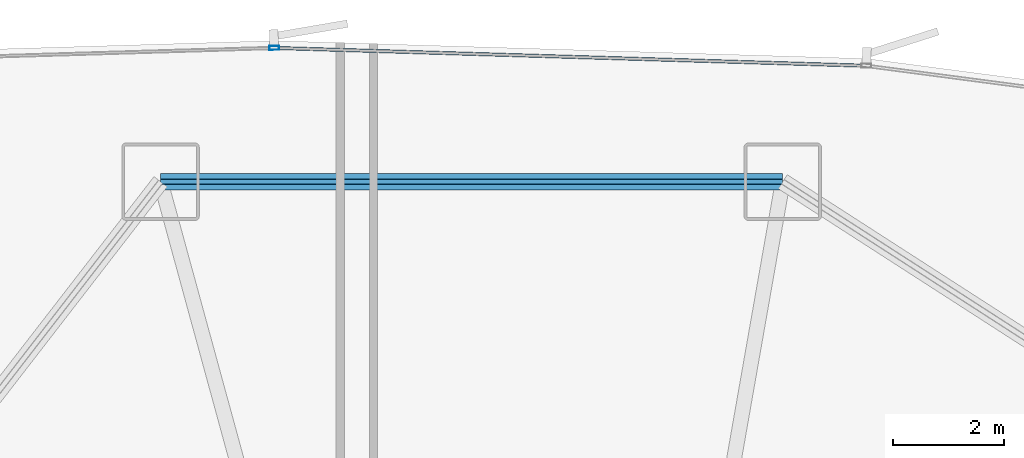
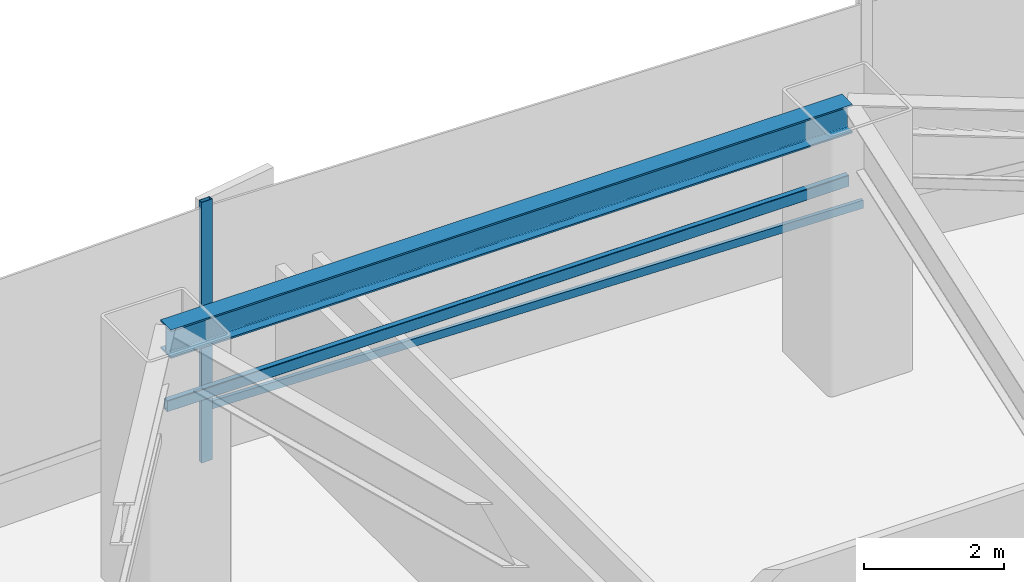
# One storey, part 14 of 34: 2 beams, 2 members, 1 element without a shape of its own.
"""IFC4 building model written with IfcOpenShell, lengths in metres."""

from ifc_helpers import new_model, si_unit, direction, frame, origin, origin_2d, place, context, subcontext, project, spatial, hollow_rectangle, i_section, extrude, source, transform, mapped, material, layer, layer_set, material_profile, profile_set, type_object, element, aggregate, save


model = new_model("IFC4")

# Units and contexts
model_context = context("Model", 3, precision=1e-05, world=origin(), true_north=direction((0.0, 1.0)))
body_context = subcontext(model_context, "Body", "Model", "MODEL_VIEW")
ifc_project = project(units=[si_unit("LENGTHUNIT", "METRE"), si_unit("AREAUNIT", "SQUARE_METRE"), si_unit("VOLUMEUNIT", "CUBIC_METRE"), si_unit("PLANEANGLEUNIT", "RADIAN"), si_unit("MASSUNIT", "GRAM", prefix="KILO"), si_unit("THERMODYNAMICTEMPERATUREUNIT", "KELVIN")], contexts=[model_context])

# Site, building, storey
site_placement = place(None, origin())
site = spatial("IfcSite", under=ifc_project, at=site_placement, CompositionType="ELEMENT")
building_placement = place(site_placement, origin())
building = spatial("IfcBuilding", under=site, at=building_placement, Name="Kethvar Cultural Tower", CompositionType="ELEMENT")
storey_placement = place(building_placement, frame((0.0, 0.0, 5.199951171875)))
storey = spatial("IfcBuildingStorey", under=building, at=storey_placement, Name="L01", CompositionType="ELEMENT", Elevation=5.199951171875)

# Beams
ifc_material_1 = material(Name="Steel S355J2", Category="steel")
ifc_material_profile_1 = material_profile(ifc_material_1, i_section(OverallWidth=0.300048828125, OverallDepth=0.5, WebThickness=0.014404296875, FlangeThickness=0.028076171875, FilletRadius=0.027099609375, at=origin_2d()), Name="Steel S355J2 — HEB500")
ifc_profile_set_1 = profile_set([ifc_material_profile_1], Name="Steel S355J2 — HEB500")
beam_type_1 = type_object("IfcBeamType", Name="BM-SP500", PredefinedType="SPANDREL", material=ifc_profile_set_1)
shared_shape_1 = source(origin(), body_context, "Body", "SweptSolid", [
    extrude(i_section(OverallWidth=0.300048828125, OverallDepth=0.5, WebThickness=0.014404296875, FlangeThickness=0.028076171875, FilletRadius=0.027099609375, at=origin_2d()), origin(), (0.0, 0.0, 1.0), 11.25),
])
beam_1_placement = place(storey_placement, frame((51.199951171875, 52.85009765625, 4.298095703125), z_axis=(-1.0, 0.0, 0.0), x_axis=(0.0, -1.0, 0.0)))
element("IfcBeam", 1, at=beam_1_placement, inside=storey, type_object=beam_type_1, Name="L01 Podium Ring Beam 04", PredefinedType="SPANDREL", context=body_context, shape_type="MappedRepresentation", body=[
    mapped(shared_shape_1, transform((0.0, 0.0, 0.0), scale=1.0)),
])
ifc_material_profile_2 = material_profile(ifc_material_1, hollow_rectangle(XDim=0.10009765625, YDim=0.199951171875, WallThickness=0.008056640625, InnerFilletRadius=0.008056640625, OuterFilletRadius=0.01611328125, at=origin_2d()), Name="Steel S355J2 — RHS200x100x8")
ifc_profile_set_2 = profile_set([ifc_material_profile_2], Name="Steel S355J2 — RHS200x100x8")
beam_type_2 = type_object("IfcBeamType", Name="BM-LN200", PredefinedType="LINTEL", material=ifc_profile_set_2)
shared_shape_2 = source(origin(), body_context, "Body", "SweptSolid", [
    extrude(hollow_rectangle(XDim=0.10009765625, YDim=0.199951171875, WallThickness=0.008056640625, InnerFilletRadius=0.008056640625, OuterFilletRadius=0.01611328125, at=origin_2d()), origin(), (0.0, 0.0, 1.0), 11.25),
])
beam_2_placement = place(storey_placement, frame((51.199951171875, 52.85009765625, 3.150146484375), z_axis=(-1.0, 0.0, 0.0), x_axis=(0.0, -1.0, 0.0)))
element("IfcBeam", 2, at=beam_2_placement, inside=storey, type_object=beam_type_2, Name="L01 Header Lintel LN-10", PredefinedType="LINTEL", context=body_context, shape_type="MappedRepresentation", body=[
    mapped(shared_shape_2, transform((0.0, 0.0, 0.0), scale=1.0)),
])

# Curtain wall, members
ifc_material_2 = material(Name="Aluminium 6063-T6", Category="aluminium")
ifc_layer = layer(ifc_material_2, 0.179931640625, Name="Aluminium 6063-T6", Category="aluminium")
ifc_layer_set = layer_set([ifc_layer], Name="Aluminium 6063-T6 (180 mm)")
curtain_wall_type = type_object("IfcCurtainWallType", Name="CW-SYS-01-POD", PredefinedType="NOTDEFINED", material=ifc_layer_set)
curtain_wall_placement = place(storey_placement, origin())
curtain_wall = element("IfcCurtainWall", 3, at=curtain_wall_placement, inside=storey, type_object=curtain_wall_type, Name="L01 Curtain Wall Run 02", PredefinedType="NOTDEFINED")
ifc_material_profile_3 = material_profile(ifc_material_2, hollow_rectangle(XDim=0.06005859375, YDim=0.139892578125, WallThickness=0.0048828125, at=origin_2d()), Name="Aluminium 6063-T6 — RHS140x60x5")
ifc_profile_set_3 = profile_set([ifc_material_profile_3], Name="Aluminium 6063-T6 — RHS140x60x5")
member_type_1 = type_object("IfcMemberType", Name="CW-SYS-01-POD-TRN", PredefinedType="USERDEFINED", material=ifc_profile_set_3)
shared_shape_3 = source(origin(), body_context, "Body", "SweptSolid", [
    extrude(hollow_rectangle(XDim=0.06005859375, YDim=0.139892578125, WallThickness=0.0048828125, at=origin_2d()), origin(), (0.0, 0.0, 1.0), 10.61279296875),
])
member_1_placement = place(storey_placement, frame((52.657958984375, 54.948486328125, 0.949951171875), z_axis=(-0.999545810513, 0.030135903608, 0.0), x_axis=(-0.030135903608, -0.999545810513, 0.0)))
member_1 = element("IfcMember", 4, at=member_1_placement, type_object=member_type_1, Name="CW-L01-R02 Transom 3", ObjectType="TRANSOM", PredefinedType="USERDEFINED", context=body_context, shape_type="MappedRepresentation", body=[
    mapped(shared_shape_3, transform((0.0, 0.0, 0.0), scale=1.0)),
])
ifc_material_profile_4 = material_profile(ifc_material_2, hollow_rectangle(XDim=0.074951171875, YDim=0.179931640625, WallThickness=0.006103515625, at=origin_2d()), Name="Aluminium 6063-T6 — RHS180x75x6")
ifc_profile_set_4 = profile_set([ifc_material_profile_4], Name="Aluminium 6063-T6 — RHS180x75x6")
member_type_2 = type_object("IfcMemberType", Name="CW-SYS-01-POD-MUL", PredefinedType="MULLION", material=ifc_profile_set_4)
shared_shape_4 = source(origin(), body_context, "Body", "SweptSolid", [
    extrude(hollow_rectangle(XDim=0.074951171875, YDim=0.179931640625, WallThickness=0.006103515625, at=origin_2d()), origin(), (0.0, 0.0, 1.0), 4.550048828125),
])
member_2_placement = place(storey_placement, frame((42.00390625, 55.27001953125, 0.0), z_axis=(0.0, 0.0, 1.0), x_axis=(0.030137272261, -0.999545769248, 0.0)))
member_2 = element("IfcMember", 5, at=member_2_placement, type_object=member_type_2, Name="CW-L01-R02 Mullion 4", PredefinedType="MULLION", context=body_context, shape_type="MappedRepresentation", body=[
    mapped(shared_shape_4, transform((0.0, 0.0, 0.0), scale=1.0)),
])
aggregate(curtain_wall, [member_2, member_1])

save(model, "model.ifc")
